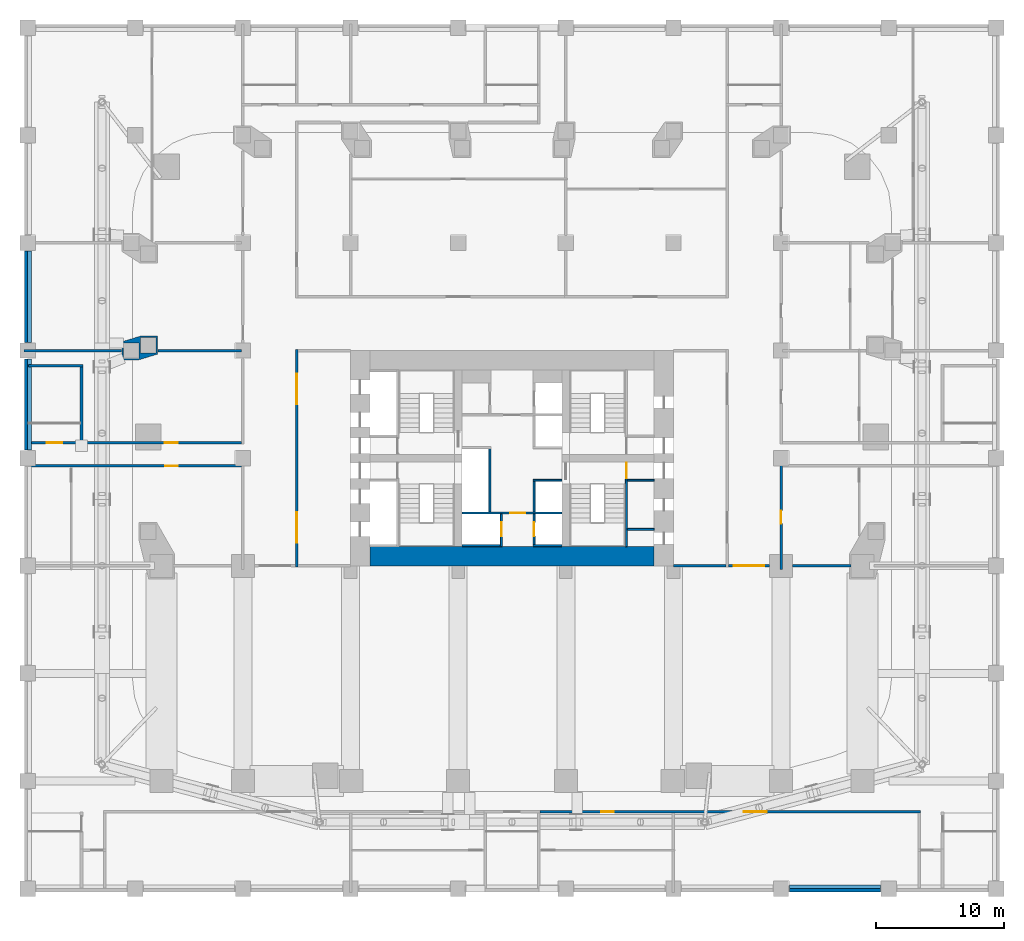
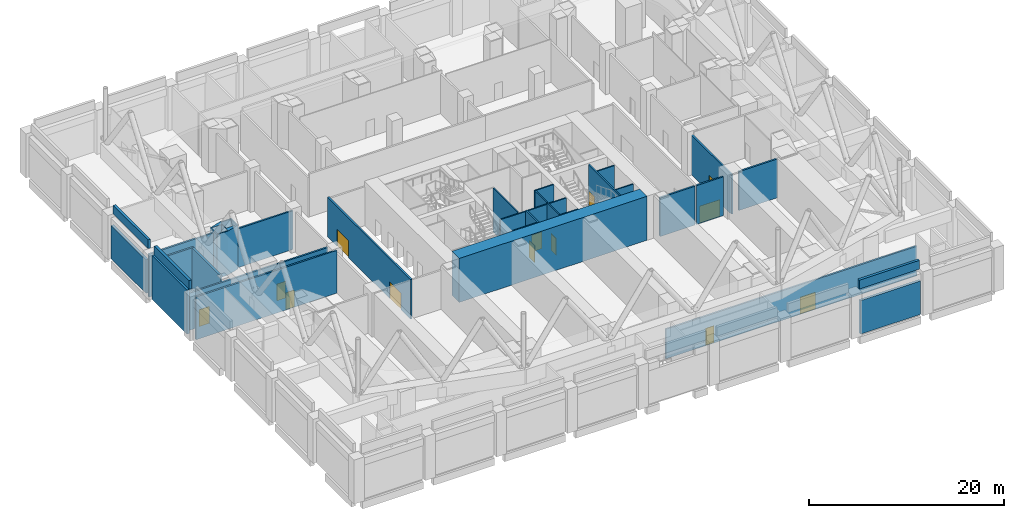
# One storey, part 8 of 17: 31 walls, 13 doors, 13 openings.
"""IFC4 building model written with IfcOpenShell, lengths in metres."""

from ifc_helpers import new_model, si_unit, direction, frame, frame_2d, origin, place, context, subcontext, project, spatial, polyline, rectangle, outline, extrude, material, layer, layer_set, type_object, element, fill, save


model = new_model("IFC4")

# Units and contexts
model_context = context("Model", 3, precision=1e-05, world=origin(), true_north=direction((0.0, 1.0)))
body_context = subcontext(model_context, "Body", "Model", "MODEL_VIEW")
ifc_project = project(units=[si_unit("LENGTHUNIT", "METRE"), si_unit("AREAUNIT", "SQUARE_METRE"), si_unit("VOLUMEUNIT", "CUBIC_METRE"), si_unit("PLANEANGLEUNIT", "RADIAN"), si_unit("MASSUNIT", "GRAM", prefix="KILO")], contexts=[model_context])

# Site, building, storey
site_placement = place(None, origin())
site = spatial("IfcSite", under=ifc_project, at=site_placement, CompositionType="ELEMENT")
building_placement = place(site_placement, origin())
building = spatial("IfcBuilding", under=site, at=building_placement, Name="Marenta Gate Hotel Tower", CompositionType="ELEMENT")
storey_placement = place(building_placement, frame((0.0, 0.0, 31.0)))
storey = spatial("IfcBuildingStorey", under=building, at=storey_placement, Name="L05", CompositionType="ELEMENT", Elevation=31.0)

# Walls
ifc_material_1 = material(Name="Concrete C40 board-marked", Category="concrete")
ifc_layer_1 = layer(ifc_material_1, 0.300048828125)
ifc_layer_set_1 = layer_set([ifc_layer_1], Name="Concrete C40 board-marked")
wall_type_1 = type_object("IfcWallType", Name="Board-marked concrete wall 300 mm", PredefinedType="NOTDEFINED", material=ifc_layer_set_1)
for number, where, z_axis, x_axis, name in (
    (1, (21.639892578125, -25.2900390625, 0.0), (0.0, 0.0, 1.0), (1.0, 0.0, 0.0), "L05-CLD-P-S007"),
    (2, (-37.889892578125, 24.56005859375, 0.0), (0.0, 0.0, 1.0), (0.0, -1.0, 0.0), "L05-CLD-P-W002"),
):
    element("IfcWall", number, at=place(storey_placement, frame(where, z_axis=z_axis, x_axis=x_axis)), inside=storey, type_object=wall_type_1, Name=name, PredefinedType="NOTDEFINED", context=body_context, shape_type="SweptSolid", body=[
        extrude(rectangle(XDim=7.1201171875, YDim=0.300048828125, at=frame_2d((3.56005859375, 0.0))), origin(), (0.0, 0.0, 1.0), 4.179931640625),
    ])
wall_1_placement = place(storey_placement, frame((-37.889892578125, 16.159912109375, 0.0), z_axis=(0.0, 0.0, 1.0), x_axis=(0.0, -1.0, 0.0)))
element("IfcWall", 3, at=wall_1_placement, inside=storey, type_object=wall_type_1, Name="L05-CLD-P-W003", PredefinedType="NOTDEFINED", context=body_context, shape_type="SweptSolid", body=[
    extrude(rectangle(XDim=7.119873046875, YDim=0.300048828125, at=frame_2d((3.56005859375, 0.0))), origin(), (0.0, 0.0, 1.0), 5.5),
])

# Wall, opening, door
ifc_material_2 = material(Name="Concrete blockwork", Category="masonry")
ifc_layer_2 = layer(ifc_material_2, 0.199951171875)
ifc_layer_set_2 = layer_set([ifc_layer_2], Name="Concrete blockwork")
wall_type_2 = type_object("IfcWallType", Name="Compartment wall 200 REI 180", PredefinedType="PARTITIONING", material=ifc_layer_set_2)
wall_2_placement = place(storey_placement, frame((16.90087890625, 0.0, 0.0), z_axis=(0.0, 0.0, 1.0), x_axis=(1.0, 0.0, 0.0)))
wall_2 = element("IfcWall", 4, at=wall_2_placement, inside=storey, type_object=wall_type_2, Name="L05-CMP-W04", PredefinedType="PARTITIONING", context=body_context, shape_type="SweptSolid", body=[
    extrude(rectangle(XDim=3.1982421875, YDim=0.199951171875, at=frame_2d((1.59912109375, 0.0))), origin(), (0.0, 0.0, 1.0), 4.85009765625),
])
opening_1_placement = place(wall_2_placement, frame((0.39892578125, 0.0, 0.0)))
opening_1 = element("IfcOpeningElement", 5, at=opening_1_placement, cuts=wall_2, Name="Opening S06-FD2", PredefinedType="OPENING", context=body_context, shape_type="SweptSolid", body=[
    extrude(rectangle(XDim=2.39990234375, YDim=2.10009765625, at=frame_2d((1.199951171875, 1.050048828125))), frame((0.0, 0.10009765625, 0.0), z_axis=(0.0, -1.0, 0.0), x_axis=(1.0, 0.0, 0.0)), (0.0, 0.0, 1.0), 0.199951171875),
])
ifc_material_3 = material(Name="Hollow steel door set", Category="steel")
door_type_1 = type_object("IfcDoorType", Name="Compartment fire door 2400x2100 EI 60", OperationType="DOUBLE_DOOR_DOUBLE_SWING", PredefinedType="DOOR", material=ifc_material_3)
door_1_placement = place(opening_1_placement, origin())
door_1 = element("IfcDoor", 6, at=door_1_placement, inside=storey, type_object=door_type_1, Name="L05-PD-FD02", OperationType="DOUBLE_DOOR_DOUBLE_SWING", OverallHeight=2.10009765625, OverallWidth=2.39990234375, PredefinedType="DOOR", context=body_context, shape_type="SweptSolid", body=[
    extrude(rectangle(XDim=2.39990234375, YDim=2.10009765625, at=frame_2d((1.199951171875, 1.050048828125))), frame((0.0, 0.02490234375, 0.0), z_axis=(0.0, -1.0, 0.0), x_axis=(1.0, 0.0, 0.0)), (0.0, 0.0, 1.0), 0.050048828125),
])
fill(opening_1, door_1)

# Wall
wall_3_placement = place(storey_placement, frame((21.90087890625, 0.0, 0.0), z_axis=(0.0, 0.0, 1.0), x_axis=(1.0, 0.0, 0.0)))
element("IfcWall", 7, at=wall_3_placement, inside=storey, type_object=wall_type_2, Name="L05-CMP-W05", PredefinedType="PARTITIONING", context=body_context, shape_type="SweptSolid", body=[
    extrude(rectangle(XDim=4.56103515625, YDim=0.199951171875, at=frame_2d((2.280517578125, 0.0))), origin(), (0.0, 0.0, 1.0), 4.85009765625),
])

# Wall, openings, doors
ifc_material_4 = material(Name="Concrete blockwork", Category="masonry")
ifc_layer_3 = layer(ifc_material_4, 0.199951171875)
ifc_layer_set_3 = layer_set([ifc_layer_3], Name="Concrete blockwork")
wall_type_3 = type_object("IfcWallType", Name="Core boundary wall 200 REI 180", PredefinedType="PARTITIONING", material=ifc_layer_set_3)
wall_4_placement = place(storey_placement, frame((-16.800048828125, -0.10009765625, 0.0), z_axis=(0.0, 0.0, 1.0), x_axis=(0.0, 1.0, 0.0)))
wall_4 = element("IfcWall", 8, at=wall_4_placement, inside=storey, type_object=wall_type_3, Name="L05-CP-BW-W", PredefinedType="PARTITIONING", context=body_context, shape_type="SweptSolid", body=[
    extrude(rectangle(XDim=17.0, YDim=0.199951171875, at=frame_2d((8.5, 0.0))), origin(), (0.0, 0.0, 1.0), 4.949951171875),
])
opening_2_placement = place(wall_4_placement, frame((1.89990234375, 0.0, 0.0)))
opening_2 = element("IfcOpeningElement", 9, at=opening_2_placement, cuts=wall_4, Name="Opening ED-Wa-A", PredefinedType="OPENING", context=body_context, shape_type="SweptSolid", body=[
    extrude(rectangle(XDim=2.39990234375, YDim=2.10009765625, at=frame_2d((1.199951171875, 1.050048828125))), frame((0.0, 0.10009765625, 0.0), z_axis=(0.0, -1.0, 0.0), x_axis=(1.0, 0.0, 0.0)), (0.0, 0.0, 1.0), 0.199951171875),
])
opening_3_placement = place(wall_4_placement, frame((12.699951171875, 0.0, 0.0)))
opening_3 = element("IfcOpeningElement", 10, at=opening_3_placement, cuts=wall_4, Name="Opening ED-Wb-A", PredefinedType="OPENING", context=body_context, shape_type="SweptSolid", body=[
    extrude(rectangle(XDim=2.39990234375, YDim=2.10009765625, at=frame_2d((1.199951171875, 1.050048828125))), frame((0.0, 0.10009765625, 0.0), z_axis=(0.0, -1.0, 0.0), x_axis=(1.0, 0.0, 0.0)), (0.0, 0.0, 1.0), 0.199951171875),
])
ifc_material_5 = material(Name="Steel", Category="steel")
door_type_2 = type_object("IfcDoorType", Name="Core lobby entrance door 2400x2100 EI 60", OperationType="DOUBLE_DOOR_SINGLE_SWING", PredefinedType="DOOR", material=ifc_material_5)
door_2_placement = place(opening_2_placement, origin())
door_2 = element("IfcDoor", 11, at=door_2_placement, inside=storey, type_object=door_type_2, Name="ED-Wa-A", OperationType="DOUBLE_DOOR_SINGLE_SWING", OverallHeight=2.10009765625, OverallWidth=2.39990234375, PredefinedType="DOOR", context=body_context, shape_type="SweptSolid", body=[
    extrude(rectangle(XDim=2.39990234375, YDim=2.10009765625, at=frame_2d((1.199951171875, 1.050048828125))), frame((0.0, 0.02490234375, 0.0), z_axis=(0.0, -1.0, 0.0), x_axis=(1.0, 0.0, 0.0)), (0.0, 0.0, 1.0), 0.050048828125),
])
fill(opening_2, door_2)
door_3_placement = place(opening_3_placement, origin())
door_3 = element("IfcDoor", 12, at=door_3_placement, inside=storey, type_object=door_type_2, Name="ED-Wb-A", OperationType="DOUBLE_DOOR_SINGLE_SWING", OverallHeight=2.10009765625, OverallWidth=2.39990234375, PredefinedType="DOOR", context=body_context, shape_type="SweptSolid", body=[
    extrude(rectangle(XDim=2.39990234375, YDim=2.10009765625, at=frame_2d((1.199951171875, 1.050048828125))), frame((0.0, 0.02490234375, 0.0), z_axis=(0.0, -1.0, 0.0), x_axis=(1.0, 0.0, 0.0)), (0.0, 0.0, 1.0), 0.050048828125),
])
fill(opening_3, door_3)

# Wall
wall_5_placement = place(storey_placement, frame((12.60009765625, 0.0, 0.0), z_axis=(0.0, 0.0, 1.0), x_axis=(1.0, 0.0, 0.0)))
element("IfcWall", 13, at=wall_5_placement, inside=storey, type_object=wall_type_3, Name="L05-CP-EW-ES", PredefinedType="PARTITIONING", context=body_context, shape_type="SweptSolid", body=[
    extrude(rectangle(XDim=4.099853515625, YDim=0.199951171875, at=frame_2d((2.0498046875, 0.0))), origin(), (0.0, 0.0, 1.0), 4.85009765625),
])

# Wall, opening, door
ifc_material_6 = material(Name="Concrete blockwork", Category="masonry")
ifc_layer_4 = layer(ifc_material_6, 0.14990234375)
ifc_layer_set_4 = layer_set([ifc_layer_4], Name="Concrete blockwork")
wall_type_4 = type_object("IfcWallType", Name="Core lobby partition 150 REI 180", PredefinedType="PARTITIONING", material=ifc_layer_set_4)
wall_6_placement = place(storey_placement, frame((-3.89990234375, 4.125, 0.0), z_axis=(0.0, 0.0, 1.0), x_axis=(1.0, 0.0, 0.0)))
wall_6 = element("IfcWall", 14, at=wall_6_placement, inside=storey, type_object=wall_type_4, Name="L05-CP-CW-S", PredefinedType="PARTITIONING", context=body_context, shape_type="SweptSolid", body=[
    extrude(rectangle(XDim=7.7998046875, YDim=0.14990234375, at=frame_2d((3.89990234375, 0.0))), origin(), (0.0, 0.0, 1.0), 5.35009765625),
])
opening_4_placement = place(wall_6_placement, frame((3.75, 0.0, 0.0)))
opening_4 = element("IfcOpeningElement", 15, at=opening_4_placement, cuts=wall_6, Name="Opening FD-FFS", PredefinedType="OPENING", context=body_context, shape_type="SweptSolid", body=[
    extrude(rectangle(XDim=1.199951171875, YDim=2.10009765625, at=frame_2d((0.60009765625, 1.050048828125))), frame((0.0, 0.074951171875, 0.0), z_axis=(0.0, -1.0, 0.0), x_axis=(1.0, 0.0, 0.0)), (0.0, 0.0, 1.0), 0.14990234375),
])
ifc_material_7 = material(Name="Steel", Category="steel")
door_type_3 = type_object("IfcDoorType", Name="Core lobby door 1200x2100 FD60", OperationType="SINGLE_SWING_LEFT", PredefinedType="DOOR", material=ifc_material_7)
door_4_placement = place(opening_4_placement, origin())
door_4 = element("IfcDoor", 16, at=door_4_placement, inside=storey, type_object=door_type_3, Name="FD-FFS", OperationType="SINGLE_SWING_LEFT", OverallHeight=2.10009765625, OverallWidth=1.199951171875, PredefinedType="DOOR", context=body_context, shape_type="SweptSolid", body=[
    extrude(rectangle(XDim=1.199951171875, YDim=2.10009765625, at=frame_2d((0.60009765625, 1.050048828125))), frame((0.0, 0.02490234375, 0.0), z_axis=(0.0, -1.0, 0.0), x_axis=(1.0, 0.0, 0.0)), (0.0, 0.0, 1.0), 0.050048828125),
])
fill(opening_4, door_4)

# Walls
ifc_material_8 = material(Name="Concrete blockwork", Category="masonry")
ifc_layer_5 = layer(ifc_material_8, 0.14990234375)
ifc_layer_set_5 = layer_set([ifc_layer_5], Name="Concrete blockwork")
wall_type_5 = type_object("IfcWallType", Name="Core room partition 150 REI 180", PredefinedType="PARTITIONING", material=ifc_layer_set_5)
for number, where, z_axis, x_axis, name in (
    (17, (9.0, 6.675048828125, 0.0), (0.0, 0.0, 1.0), (1.0, 0.0, 0.0), "L05-CP-SW-ES-2"),
    (18, (9.0, 2.85009765625, 0.0), (0.0, 0.0, 1.0), (1.0, 0.0, 0.0), "L05-CP-RW-ES-1"),
):
    element("IfcWall", number, at=place(storey_placement, frame(where, z_axis=z_axis, x_axis=x_axis)), inside=storey, type_object=wall_type_5, Name=name, PredefinedType="PARTITIONING", context=body_context, shape_type="SweptSolid", body=[
        extrude(rectangle(XDim=2.10009765625, YDim=0.14990234375, at=frame_2d((1.050048828125, 0.0))), origin(), (0.0, 0.0, 1.0), 5.35009765625),
    ])

# Wall, opening, door
ifc_material_9 = material(Name="Concrete C40", Category="concrete")
ifc_layer_6 = layer(ifc_material_9, 0.14990234375)
ifc_layer_set_6 = layer_set([ifc_layer_6], Name="Concrete C40")
wall_type_6 = type_object("IfcWallType", Name="Core shaft wall 150 REI 180", PredefinedType="SHEAR", material=ifc_layer_set_6)
wall_7_placement = place(storey_placement, frame((-0.824951171875, 1.5, 0.0), z_axis=(0.0, 0.0, 1.0), x_axis=(0.0, 1.0, 0.0)))
wall_7 = element("IfcWall", 19, at=wall_7_placement, inside=storey, type_object=wall_type_6, Name="L05-SHF-CW-W-ff", PredefinedType="SHEAR", context=body_context, shape_type="SweptSolid", body=[
    extrude(rectangle(XDim=2.550048828125, YDim=0.14990234375, at=frame_2d((1.27490234375, 0.0))), origin(), (0.0, 0.0, 1.0), 5.5),
])
opening_5_placement = place(wall_7_placement, frame((0.800048828125, 0.0, 0.0)))
opening_5 = element("IfcOpeningElement", 20, at=opening_5_placement, cuts=wall_7, Name="Opening LD-FF1", PredefinedType="OPENING", context=body_context, shape_type="SweptSolid", body=[
    extrude(rectangle(XDim=1.10009765625, YDim=2.10009765625, at=frame_2d((0.550048828125, 1.050048828125))), frame((0.0, 0.074951171875, 0.0), z_axis=(0.0, -1.0, 0.0), x_axis=(1.0, 0.0, 0.0)), (0.0, 0.0, 1.0), 0.14990234375),
])
ifc_material_10 = material(Name="Steel", Category="steel")
door_type_4 = type_object("IfcDoorType", Name="Core lift landing door 1100x2100 E 60", OperationType="SLIDING_TO_LEFT", PredefinedType="DOOR", material=ifc_material_10)
door_5_placement = place(opening_5_placement, origin())
door_5 = element("IfcDoor", 21, at=door_5_placement, inside=storey, type_object=door_type_4, Name="LD-FF1", OperationType="SLIDING_TO_LEFT", OverallHeight=2.10009765625, OverallWidth=1.10009765625, PredefinedType="DOOR", context=body_context, shape_type="SweptSolid", body=[
    extrude(rectangle(XDim=1.10009765625, YDim=2.10009765625, at=frame_2d((0.550048828125, 1.050048828125))), frame((0.0, 0.02490234375, 0.0), z_axis=(0.0, -1.0, 0.0), x_axis=(1.0, 0.0, 0.0)), (0.0, 0.0, 1.0), 0.050048828125),
])
fill(opening_5, door_5)

# Walls
wall_8_placement = place(storey_placement, frame((-3.89990234375, 1.574951171875, 0.0), z_axis=(0.0, 0.0, 1.0), x_axis=(1.0, 0.0, 0.0)))
element("IfcWall", 22, at=wall_8_placement, inside=storey, type_object=wall_type_6, Name="L05-SHF-CW-W-ffs", PredefinedType="SHEAR", context=body_context, shape_type="SweptSolid", body=[
    extrude(rectangle(XDim=3.0, YDim=0.14990234375, at=frame_2d((1.5, 0.0))), origin(), (0.0, 0.0, 1.0), 5.5),
])
wall_9_placement = place(storey_placement, frame((-1.72509765625, 4.199951171875, 0.0), z_axis=(0.0, 0.0, 1.0), x_axis=(0.0, 1.0, 0.0)))
element("IfcWall", 23, at=wall_9_placement, inside=storey, type_object=wall_type_6, Name="L05-SHF-CW-W-front", PredefinedType="SHEAR", context=body_context, shape_type="SweptSolid", body=[
    extrude(rectangle(XDim=4.949951171875, YDim=0.14990234375, at=frame_2d((2.47509765625, 0.0))), origin(), (0.0, 0.0, 1.0), 5.5),
])

# Wall, opening, door
wall_10_placement = place(storey_placement, frame((1.72509765625, 1.64990234375, 0.0), z_axis=(0.0, 0.0, 1.0), x_axis=(0.0, 1.0, 0.0)))
wall_10 = element("IfcWall", 24, at=wall_10_placement, inside=storey, type_object=wall_type_6, Name="L05-SHF-CE-S-ls", PredefinedType="SHEAR", context=body_context, shape_type="SweptSolid", body=[
    extrude(rectangle(XDim=2.400146484375, YDim=0.14990234375, at=frame_2d((1.2001953125, 0.0))), origin(), (0.0, 0.0, 1.0), 5.5),
])
opening_6_placement = place(wall_10_placement, frame((0.64990234375, 0.0, 0.0)))
opening_6 = element("IfcOpeningElement", 25, at=opening_6_placement, cuts=wall_10, Name="Opening LD-SV1", PredefinedType="OPENING", context=body_context, shape_type="SweptSolid", body=[
    extrude(rectangle(XDim=1.10009765625, YDim=2.10009765625, at=frame_2d((0.550048828125, 1.050048828125))), frame((0.0, 0.074951171875, 0.0), z_axis=(0.0, -1.0, 0.0), x_axis=(1.0, 0.0, 0.0)), (0.0, 0.0, 1.0), 0.14990234375),
])
door_6_placement = place(opening_6_placement, origin())
door_6 = element("IfcDoor", 26, at=door_6_placement, inside=storey, type_object=door_type_4, Name="LD-SV1", OperationType="SLIDING_TO_LEFT", OverallHeight=2.10009765625, OverallWidth=1.10009765625, PredefinedType="DOOR", context=body_context, shape_type="SweptSolid", body=[
    extrude(rectangle(XDim=1.10009765625, YDim=2.10009765625, at=frame_2d((0.550048828125, 1.050048828125))), frame((0.0, 0.02490234375, 0.0), z_axis=(0.0, -1.0, 0.0), x_axis=(1.0, 0.0, 0.0)), (0.0, 0.0, 1.0), 0.050048828125),
])
fill(opening_6, door_6)

# Walls
for number, where, z_axis, x_axis, name in (
    (27, (1.64990234375, 1.574951171875, 0.0), (0.0, 0.0, 1.0), (1.0, 0.0, 0.0), "L05-SHF-CE-S-bot"),
    (28, (1.64990234375, 6.675048828125, 0.0), (0.0, 0.0, 1.0), (1.0, 0.0, 0.0), "L05-SHF-CE-sep1"),
):
    element("IfcWall", number, at=place(storey_placement, frame(where, z_axis=z_axis, x_axis=x_axis)), inside=storey, type_object=wall_type_6, Name=name, PredefinedType="SHEAR", context=body_context, shape_type="SweptSolid", body=[
        extrude(rectangle(XDim=2.25, YDim=0.14990234375, at=frame_2d((1.125, 0.0))), origin(), (0.0, 0.0, 1.0), 5.5),
    ])
wall_11_placement = place(storey_placement, frame((1.72509765625, 4.199951171875, 0.0), z_axis=(0.0, 0.0, 1.0), x_axis=(0.0, 1.0, 0.0)))
element("IfcWall", 29, at=wall_11_placement, inside=storey, type_object=wall_type_6, Name="L05-SHF-CE-front-1", PredefinedType="SHEAR", context=body_context, shape_type="SweptSolid", body=[
    extrude(rectangle(XDim=2.400146484375, YDim=0.14990234375, at=frame_2d((1.2001953125, 0.0))), origin(), (0.0, 0.0, 1.0), 5.5),
])

# Wall, opening, door
ifc_material_11 = material(Name="Concrete C40", Category="concrete")
ifc_layer_7 = layer(ifc_material_11, 0.14990234375)
ifc_layer_set_7 = layer_set([ifc_layer_7], Name="Concrete C40")
wall_type_7 = type_object("IfcWallType", Name="Core stair enclosure wall 150 REI 180", PredefinedType="SHEAR", material=ifc_layer_set_7)
wall_12_placement = place(storey_placement, frame((8.925048828125, 1.5, 0.0), z_axis=(0.0, 0.0, 1.0), x_axis=(0.0, 1.0, 0.0)))
wall_12 = element("IfcWall", 30, at=wall_12_placement, inside=storey, type_object=wall_type_7, Name="L05-SHF-SW-ES-3", PredefinedType="SHEAR", context=body_context, shape_type="SweptSolid", body=[
    extrude(rectangle(XDim=6.60009765625, YDim=0.14990234375, at=frame_2d((3.300048828125, 0.0))), origin(), (0.0, 0.0, 1.0), 5.35009765625),
])
opening_7_placement = place(wall_12_placement, frame((5.324951171875, 0.0, 0.0)))
opening_7 = element("IfcOpeningElement", 31, at=opening_7_placement, cuts=wall_12, Name="Opening SD-ES", PredefinedType="OPENING", context=body_context, shape_type="SweptSolid", body=[
    extrude(rectangle(XDim=1.199951171875, YDim=2.10009765625, at=frame_2d((0.60009765625, 1.050048828125))), frame((0.0, 0.074951171875, 0.0), z_axis=(0.0, -1.0, 0.0), x_axis=(1.0, 0.0, 0.0)), (0.0, 0.0, 1.0), 0.14990234375),
])
ifc_material_12 = material(Name="Steel", Category="steel")
door_type_5 = type_object("IfcDoorType", Name="Core stair door 1200x2100 FD60", OperationType="SINGLE_SWING_LEFT", PredefinedType="DOOR", material=ifc_material_12)
door_7_placement = place(opening_7_placement, origin())
door_7 = element("IfcDoor", 32, at=door_7_placement, inside=storey, type_object=door_type_5, Name="SD-ES", OperationType="SINGLE_SWING_LEFT", OverallHeight=2.10009765625, OverallWidth=1.199951171875, PredefinedType="DOOR", context=body_context, shape_type="SweptSolid", body=[
    extrude(rectangle(XDim=1.199951171875, YDim=2.10009765625, at=frame_2d((0.60009765625, 1.050048828125))), frame((0.0, 0.02490234375, 0.0), z_axis=(0.0, -1.0, 0.0), x_axis=(1.0, 0.0, 0.0)), (0.0, 0.0, 1.0), 0.050048828125),
])
fill(opening_7, door_7)

# Walls
ifc_material_13 = material(Name="Concrete C80", Category="concrete")
ifc_layer_8 = layer(ifc_material_13, 1.5)
ifc_layer_set_8 = layer_set([ifc_layer_8], Name="Concrete C80")
wall_type_8 = type_object("IfcWallType", Name="Core wall 1500 C80", PredefinedType="SHEAR", material=ifc_layer_set_8)
wall_13_placement = place(storey_placement, frame((-11.10009765625, 0.75, 0.0), z_axis=(0.0, 0.0, 1.0), x_axis=(1.0, 0.0, 0.0)))
element("IfcWall", 33, at=wall_13_placement, inside=storey, type_object=wall_type_8, Name="L05-CORE-S", PredefinedType="SHEAR", context=body_context, shape_type="SweptSolid", body=[
    extrude(rectangle(XDim=22.2001953125, YDim=1.5, at=frame_2d((11.10009765625, 0.0))), origin(), (0.0, 0.0, 1.0), 5.5),
])
ifc_material_14 = material(Name="Concrete C40 board-marked", Category="concrete")
ifc_layer_9 = layer(ifc_material_14, 0.300048828125)
ifc_layer_set_9 = layer_set([ifc_layer_9], Name="Concrete C40 board-marked")
wall_type_9 = type_object("IfcWallType", Name="Parapet 300 mm board-marked concrete", PredefinedType="PARAPET", material=ifc_layer_set_9)
wall_14_placement = place(storey_placement, frame((-37.64990234375, 9.0400390625, 5.5), z_axis=(0.0, 0.0, 1.0), x_axis=(0.0, 1.0, 0.0)))
element("IfcWall", 34, at=wall_14_placement, inside=storey, type_object=wall_type_9, Name="L05-PAR-00004", PredefinedType="PARAPET", context=body_context, shape_type="SweptSolid", body=[
    extrude(rectangle(XDim=7.119873046875, YDim=0.300048828125, at=frame_2d((3.56005859375, 0.0))), origin(), (0.0, 0.0, 1.0), 1.10009765625),
])
for number, where, z_axis, x_axis, name in (
    (35, (-37.64990234375, 17.43994140625, 5.5), (0.0, 0.0, 1.0), (0.0, 1.0, 0.0), "L05-PAR-00005"),
    (36, (28.760009765625, -25.050048828125, 5.5), (0.0, 0.0, 1.0), (-1.0, 0.0, 0.0), "L05-PAR-00031"),
):
    element("IfcWall", number, at=place(storey_placement, frame(where, z_axis=z_axis, x_axis=x_axis)), inside=storey, type_object=wall_type_9, Name=name, PredefinedType="PARAPET", context=body_context, shape_type="SweptSolid", body=[
        extrude(rectangle(XDim=7.1201171875, YDim=0.300048828125, at=frame_2d((3.56005859375, 0.0))), origin(), (0.0, 0.0, 1.0), 1.10009765625),
    ])
ifc_material_15 = material(Name="Concrete C70", Category="concrete")
ifc_layer_10 = layer(ifc_material_15, 1.60009765625)
ifc_layer_set_10 = layer_set([ifc_layer_10], Name="Concrete C70")
wall_type_10 = type_object("IfcWallType", Name="Pier wall board-marked concrete C70", PredefinedType="SOLIDWALL", material=ifc_layer_set_10)
wall_15_placement = place(storey_placement, origin())
element("IfcWall", 37, at=wall_15_placement, inside=storey, type_object=wall_type_10, Name="L05-PIER-2", PredefinedType="SOLIDWALL", context=body_context, shape_type="SweptSolid", body=[
    extrude(outline(polyline([(-30.43994140625, 17.48876953125), (-29.017822265625, 17.923095703125), (-27.679931640625, 17.923095703125), (-27.679931640625, 16.514404296875), (-29.10205078125, 16.080078125), (-30.43994140625, 16.080078125), (-30.43994140625, 17.48876953125)]), holes=[polyline([(-29.0, 16.603271484375), (-27.800048828125, 16.603271484375), (-27.800048828125, 17.80322265625), (-29.0, 17.80322265625), (-29.0, 16.603271484375)]), polyline([(-30.320068359375, 16.199951171875), (-29.1201171875, 16.199951171875), (-29.1201171875, 17.39990234375), (-30.320068359375, 17.39990234375), (-30.320068359375, 16.199951171875)])]), origin(), (0.0, 0.0, 1.0), 5.5),
])

# Wall, opening, door
ifc_material_16 = material(Name="Concrete blockwork", Category="masonry")
ifc_layer_11 = layer(ifc_material_16, 0.199951171875)
ifc_layer_set_11 = layer_set([ifc_layer_11], Name="Concrete blockwork")
wall_type_11 = type_object("IfcWallType", Name="Room corridor wall 200 EI 120", PredefinedType="PARTITIONING", material=ifc_layer_set_11)
wall_16_placement = place(storey_placement, frame((21.0, -0.300048828125, 0.0), z_axis=(0.0, 0.0, 1.0), x_axis=(0.0, 1.0, 0.0)))
wall_16 = element("IfcWall", 38, at=wall_16_placement, inside=storey, type_object=wall_type_11, Name="L05-PTN-W015", PredefinedType="PARTITIONING", context=body_context, shape_type="SweptSolid", body=[
    extrude(rectangle(XDim=8.199951171875, YDim=0.199951171875, at=frame_2d((4.10009765625, 0.0))), origin(), (0.0, 0.0, 1.0), 4.949951171875),
])
opening_8_placement = place(wall_16_placement, frame((3.60009765625, 0.0, 0.0)))
opening_8 = element("IfcOpeningElement", 39, at=opening_8_placement, cuts=wall_16, Name="Opening S06-09", PredefinedType="OPENING", context=body_context, shape_type="SweptSolid", body=[
    extrude(rectangle(XDim=1.0, YDim=2.10009765625, at=frame_2d((0.5, 1.050048828125))), frame((0.0, 0.10009765625, 0.0), z_axis=(0.0, -1.0, 0.0), x_axis=(1.0, 0.0, 0.0)), (0.0, 0.0, 1.0), 0.199951171875),
])
ifc_material_17 = material(Name="Hollow steel door set", Category="steel")
door_type_6 = type_object("IfcDoorType", Name="Room service door 1000x2100 EI 60", OperationType="NOTDEFINED", PredefinedType="DOOR", material=ifc_material_17)
door_8_placement = place(opening_8_placement, origin())
door_8 = element("IfcDoor", 40, at=door_8_placement, inside=storey, type_object=door_type_6, Name="L05-PD-D009", OperationType="SINGLE_SWING_RIGHT", OverallHeight=2.10009765625, OverallWidth=1.0, PredefinedType="DOOR", context=body_context, shape_type="SweptSolid", body=[
    extrude(rectangle(XDim=1.0, YDim=2.10009765625, at=frame_2d((0.5, 1.050048828125))), frame((0.0, 0.02490234375, 0.0), z_axis=(0.0, -1.0, 0.0), x_axis=(1.0, 0.0, 0.0)), (0.0, 0.0, 1.0), 0.050048828125),
])
fill(opening_8, door_8)

# Wall, openings, doors
wall_17_placement = place(storey_placement, frame((2.199951171875, -19.199951171875, 0.0), z_axis=(0.0, 0.0, 1.0), x_axis=(1.0, 0.0, 0.0)))
wall_17 = element("IfcWall", 41, at=wall_17_placement, inside=storey, type_object=wall_type_11, Name="L05-PTN-W020", PredefinedType="PARTITIONING", context=body_context, shape_type="SweptSolid", body=[
    extrude(rectangle(XDim=29.699951171875, YDim=0.199951171875, at=frame_2d((14.85009765625, 0.0))), origin(), (0.0, 0.0, 1.0), 3.699951171875),
])
opening_9_placement = place(wall_17_placement, frame((4.75, 0.0, 0.0)))
opening_9 = element("IfcOpeningElement", 42, at=opening_9_placement, cuts=wall_17, Name="Opening S06-31", PredefinedType="OPENING", context=body_context, shape_type="SweptSolid", body=[
    extrude(rectangle(XDim=1.0, YDim=2.10009765625, at=frame_2d((0.5, 1.050048828125))), frame((0.0, 0.10009765625, 0.0), z_axis=(0.0, -1.0, 0.0), x_axis=(1.0, 0.0, 0.0)), (0.0, 0.0, 1.0), 0.199951171875),
])
opening_10_placement = place(wall_17_placement, frame((15.89990234375, 0.0, 0.0)))
opening_10 = element("IfcOpeningElement", 43, at=opening_10_placement, cuts=wall_17, Name="Opening S06-34", PredefinedType="OPENING", context=body_context, shape_type="SweptSolid", body=[
    extrude(rectangle(XDim=1.800048828125, YDim=2.10009765625, at=frame_2d((0.89990234375, 1.050048828125))), frame((0.0, 0.10009765625, 0.0), z_axis=(0.0, -1.0, 0.0), x_axis=(1.0, 0.0, 0.0)), (0.0, 0.0, 1.0), 0.199951171875),
])
ifc_material_18 = material(Name="Timber door leaf", Category="wood")
door_type_7 = type_object("IfcDoorType", Name="Room amenity door 1000x2100 EI 60", OperationType="NOTDEFINED", PredefinedType="DOOR", material=ifc_material_18)
door_9_placement = place(opening_9_placement, origin())
door_9 = element("IfcDoor", 44, at=door_9_placement, inside=storey, type_object=door_type_7, Name="L05-PD-D031", OperationType="SINGLE_SWING_LEFT", OverallHeight=2.10009765625, OverallWidth=1.0, PredefinedType="DOOR", context=body_context, shape_type="SweptSolid", body=[
    extrude(rectangle(XDim=1.0, YDim=2.10009765625, at=frame_2d((0.5, 1.050048828125))), frame((0.0, 0.02490234375, 0.0), z_axis=(0.0, -1.0, 0.0), x_axis=(1.0, 0.0, 0.0)), (0.0, 0.0, 1.0), 0.050048828125),
])
fill(opening_9, door_9)
ifc_material_19 = material(Name="Timber door leaf", Category="wood")
door_type_8 = type_object("IfcDoorType", Name="Room amenity door 1800x2100 EI 60", OperationType="DOUBLE_DOOR_SINGLE_SWING", PredefinedType="DOOR", material=ifc_material_19)
door_10_placement = place(opening_10_placement, origin())
door_10 = element("IfcDoor", 45, at=door_10_placement, inside=storey, type_object=door_type_8, Name="L05-PD-D034", OperationType="DOUBLE_DOOR_SINGLE_SWING", OverallHeight=2.10009765625, OverallWidth=1.800048828125, PredefinedType="DOOR", context=body_context, shape_type="SweptSolid", body=[
    extrude(rectangle(XDim=1.800048828125, YDim=2.10009765625, at=frame_2d((0.89990234375, 1.050048828125))), frame((0.0, 0.02490234375, 0.0), z_axis=(0.0, -1.0, 0.0), x_axis=(1.0, 0.0, 0.0)), (0.0, 0.0, 1.0), 0.050048828125),
])
fill(opening_10, door_10)

# Wall, opening, door
ifc_material_20 = material(Name="Concrete blockwork", Category="masonry")
ifc_layer_12 = layer(ifc_material_20, 0.199951171875)
ifc_layer_set_12 = layer_set([ifc_layer_12], Name="Concrete blockwork")
wall_type_12 = type_object("IfcWallType", Name="Room corridor wall 200 REI 180", PredefinedType="PARTITIONING", material=ifc_layer_set_12)
wall_18_placement = place(storey_placement, frame((-37.739990234375, 7.800048828125, 0.0), z_axis=(0.0, 0.0, 1.0), x_axis=(1.0, 0.0, 0.0)))
wall_18 = element("IfcWall", 46, at=wall_18_placement, inside=storey, type_object=wall_type_12, Name="L05-PTN-W032", PredefinedType="PARTITIONING", context=body_context, shape_type="SweptSolid", body=[
    extrude(rectangle(XDim=16.639892578125, YDim=0.199951171875, at=frame_2d((8.31982421875, 0.0))), origin(), (0.0, 0.0, 1.0), 5.35009765625),
])
opening_11_placement = place(wall_18_placement, frame((10.6650390625, 0.0, 0.0)))
opening_11 = element("IfcOpeningElement", 47, at=opening_11_placement, cuts=wall_18, Name="Opening S06-03", PredefinedType="OPENING", context=body_context, shape_type="SweptSolid", body=[
    extrude(rectangle(XDim=1.0, YDim=2.10009765625, at=frame_2d((0.5, 1.050048828125))), frame((0.0, 0.10009765625, 0.0), z_axis=(0.0, -1.0, 0.0), x_axis=(1.0, 0.0, 0.0)), (0.0, 0.0, 1.0), 0.199951171875),
])
door_11_placement = place(opening_11_placement, origin())
door_11 = element("IfcDoor", 48, at=door_11_placement, inside=storey, type_object=door_type_7, Name="L05-PD-D003", OperationType="SINGLE_SWING_LEFT", OverallHeight=2.10009765625, OverallWidth=1.0, PredefinedType="DOOR", context=body_context, shape_type="SweptSolid", body=[
    extrude(rectangle(XDim=1.0, YDim=2.10009765625, at=frame_2d((0.5, 1.050048828125))), frame((0.0, 0.02490234375, 0.0), z_axis=(0.0, -1.0, 0.0), x_axis=(1.0, 0.0, 0.0)), (0.0, 0.0, 1.0), 0.050048828125),
])
fill(opening_11, door_11)

# Wall, openings, doors
wall_19_placement = place(storey_placement, frame((-37.739990234375, 9.60009765625, 0.0), z_axis=(0.0, 0.0, 1.0), x_axis=(1.0, 0.0, 0.0)))
wall_19 = element("IfcWall", 49, at=wall_19_placement, inside=storey, type_object=wall_type_12, Name="L05-PTN-W034", PredefinedType="PARTITIONING", context=body_context, shape_type="SweptSolid", body=[
    extrude(rectangle(XDim=16.639892578125, YDim=0.199951171875, at=frame_2d((8.31982421875, 0.0))), origin(), (0.0, 0.0, 1.0), 4.634033203125),
])
opening_12_placement = place(wall_19_placement, frame((10.639892578125, 0.0, 0.0)))
opening_12 = element("IfcOpeningElement", 50, at=opening_12_placement, cuts=wall_19, Name="Opening S06-04", PredefinedType="OPENING", context=body_context, shape_type="SweptSolid", body=[
    extrude(rectangle(XDim=1.0, YDim=2.10009765625, at=frame_2d((0.5, 1.050048828125))), frame((0.0, 0.10009765625, 0.0), z_axis=(0.0, -1.0, 0.0), x_axis=(1.0, 0.0, 0.0)), (0.0, 0.0, 1.0), 0.199951171875),
])
opening_13_placement = place(wall_19_placement, frame((1.43994140625, 0.0, 0.0)))
opening_13 = element("IfcOpeningElement", 51, at=opening_13_placement, cuts=wall_19, Name="Opening S06-36", PredefinedType="OPENING", context=body_context, shape_type="SweptSolid", body=[
    extrude(rectangle(XDim=1.199951171875, YDim=2.10009765625, at=frame_2d((0.60009765625, 1.050048828125))), frame((0.0, 0.10009765625, 0.0), z_axis=(0.0, -1.0, 0.0), x_axis=(1.0, 0.0, 0.0)), (0.0, 0.0, 1.0), 0.199951171875),
])
ifc_material_21 = material(Name="Hollow steel door set", Category="steel")
door_type_9 = type_object("IfcDoorType", Name="Podium stair door 1200x2100 EI 60", OperationType="NOTDEFINED", PredefinedType="DOOR", material=ifc_material_21)
door_12_placement = place(opening_13_placement, origin())
door_12 = element("IfcDoor", 52, at=door_12_placement, inside=storey, type_object=door_type_9, Name="L05-PD-D036", OperationType="SINGLE_SWING_RIGHT", OverallHeight=2.10009765625, OverallWidth=1.199951171875, PredefinedType="DOOR", context=body_context, shape_type="SweptSolid", body=[
    extrude(rectangle(XDim=1.199951171875, YDim=2.10009765625, at=frame_2d((0.60009765625, 1.050048828125))), frame((0.0, 0.02490234375, 0.0), z_axis=(0.0, -1.0, 0.0), x_axis=(1.0, 0.0, 0.0)), (0.0, 0.0, 1.0), 0.050048828125),
])
fill(opening_13, door_12)
door_13_placement = place(opening_12_placement, origin())
door_13 = element("IfcDoor", 53, at=door_13_placement, inside=storey, type_object=door_type_7, Name="L05-PD-D004", OperationType="SINGLE_SWING_RIGHT", OverallHeight=2.10009765625, OverallWidth=1.0, PredefinedType="DOOR", context=body_context, shape_type="SweptSolid", body=[
    extrude(rectangle(XDim=1.0, YDim=2.10009765625, at=frame_2d((0.5, 1.050048828125))), frame((0.0, 0.02490234375, 0.0), z_axis=(0.0, -1.0, 0.0), x_axis=(1.0, 0.0, 0.0)), (0.0, 0.0, 1.0), 0.050048828125),
])
fill(opening_12, door_13)

# Walls
ifc_material_22 = material(Name="Concrete blockwork", Category="masonry")
ifc_layer_13 = layer(ifc_material_22, 0.199951171875)
ifc_layer_set_13 = layer_set([ifc_layer_13], Name="Concrete blockwork")
wall_type_13 = type_object("IfcWallType", Name="Room party wall 200 EI 120", PredefinedType="PARTITIONING", material=ifc_layer_set_13)
wall_20_placement = place(storey_placement, frame((-38.10009765625, 16.800048828125, 0.0), z_axis=(0.0, 0.0, 1.0), x_axis=(1.0, 0.0, 0.0)))
element("IfcWall", 54, at=wall_20_placement, inside=storey, type_object=wall_type_13, Name="L05-PTN-W043", PredefinedType="PARTITIONING", context=body_context, shape_type="SweptSolid", body=[
    extrude(rectangle(XDim=7.610107421875, YDim=0.199951171875, at=frame_2d((3.80517578125, 0.0))), origin(), (0.0, 0.0, 1.0), 5.35009765625),
])
wall_21_placement = place(storey_placement, frame((-27.6298828125, 16.800048828125, 0.0), z_axis=(0.0, 0.0, 1.0), x_axis=(1.0, 0.0, 0.0)))
element("IfcWall", 55, at=wall_21_placement, inside=storey, type_object=wall_type_13, Name="L05-PTN-W044", PredefinedType="PARTITIONING", context=body_context, shape_type="SweptSolid", body=[
    extrude(rectangle(XDim=6.52978515625, YDim=0.199951171875, at=frame_2d((3.264892578125, 0.0))), origin(), (0.0, 0.0, 1.0), 4.85009765625),
])
ifc_material_23 = material(Name="Concrete blockwork", Category="masonry")
ifc_layer_14 = layer(ifc_material_23, 0.199951171875)
ifc_layer_set_14 = layer_set([ifc_layer_14], Name="Concrete blockwork")
wall_type_14 = type_object("IfcWallType", Name="Room party wall 200 REI 180", PredefinedType="PARTITIONING", material=ifc_layer_set_14)
wall_22_placement = place(storey_placement, frame((-37.739990234375, 15.60009765625, 0.0), z_axis=(0.0, 0.0, 1.0), x_axis=(1.0, 0.0, 0.0)))
element("IfcWall", 56, at=wall_22_placement, inside=storey, type_object=wall_type_14, Name="L05-PTN-W039", PredefinedType="PARTITIONING", context=body_context, shape_type="SweptSolid", body=[
    extrude(rectangle(XDim=4.239990234375, YDim=0.199951171875, at=frame_2d((2.1201171875, 0.0))), origin(), (0.0, 0.0, 1.0), 5.35009765625),
])
wall_23_placement = place(storey_placement, frame((-33.60009765625, 9.699951171875, 0.0), z_axis=(0.0, 0.0, 1.0), x_axis=(0.0, 1.0, 0.0)))
element("IfcWall", 57, at=wall_23_placement, inside=storey, type_object=wall_type_14, Name="L05-PTN-W063", PredefinedType="PARTITIONING", context=body_context, shape_type="SweptSolid", body=[
    extrude(rectangle(XDim=5.800048828125, YDim=0.199951171875, at=frame_2d((2.89990234375, 0.0))), origin(), (0.0, 0.0, 1.0), 5.35009765625),
])

save(model, "model.ifc")
